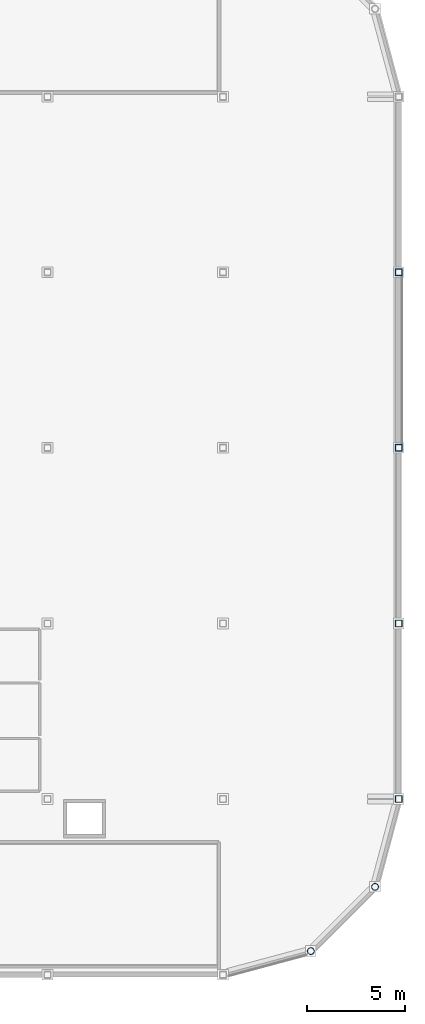
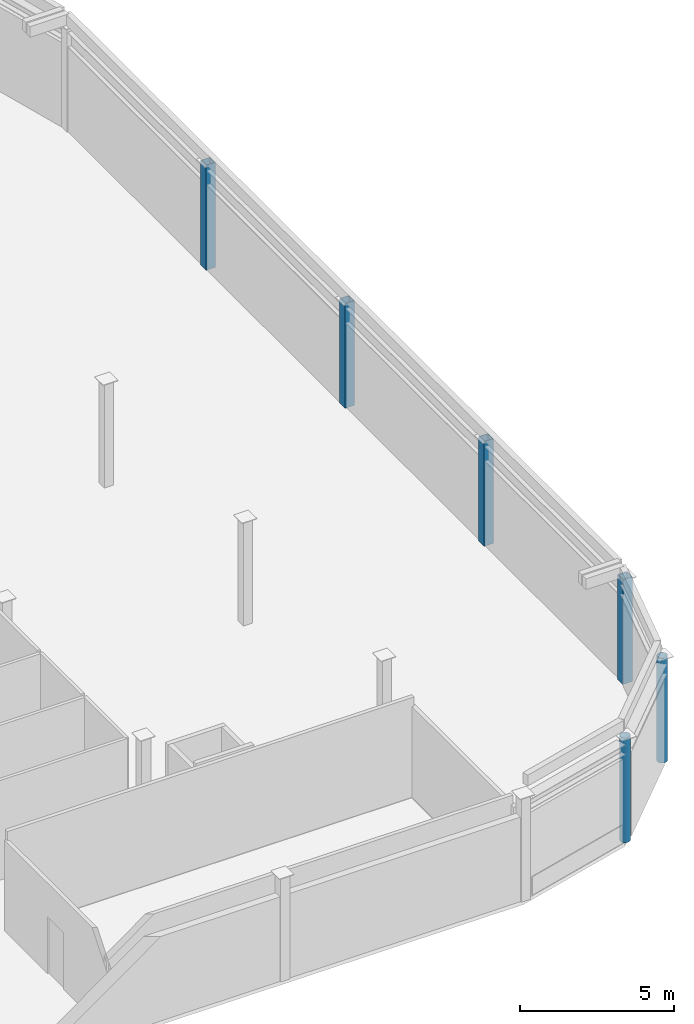
# One storey, part 4 of 14: 6 columns.
"""IFC4 building model written with IfcOpenShell, lengths in metres."""

from ifc_helpers import new_model, si_unit, direction, frame, origin, origin_2d, place, context, subcontext, project, spatial, hollow_rectangle, hollow_circle, extrude, material, material_profile, profile_set, type_object, element, save


model = new_model("IFC4")

# Units and contexts
model_context = context("Model", 3, precision=1e-05, world=origin(), true_north=direction((0.0, 1.0)))
body_context = subcontext(model_context, "Body", "Model", "MODEL_VIEW")
ifc_project = project(units=[si_unit("LENGTHUNIT", "METRE"), si_unit("AREAUNIT", "SQUARE_METRE"), si_unit("VOLUMEUNIT", "CUBIC_METRE"), si_unit("PLANEANGLEUNIT", "RADIAN"), si_unit("MASSUNIT", "GRAM", prefix="KILO")], contexts=[model_context])

# Site, building, storey
site_placement = place(None, origin())
site = spatial("IfcSite", under=ifc_project, at=site_placement, CompositionType="ELEMENT")
building_placement = place(site_placement, origin())
building = spatial("IfcBuilding", under=site, at=building_placement, Name="Suzunagisa Mobility Hub", CompositionType="ELEMENT")
storey_placement = place(building_placement, frame((0.0, 0.0, 26.10009765625)))
storey = spatial("IfcBuildingStorey", under=building, at=storey_placement, Name="L06", CompositionType="ELEMENT", Elevation=26.10009765625)

# Columns
ifc_material = material(Name="Steel SN490B", Category="steel")
ifc_material_profile_1 = material_profile(ifc_material, hollow_rectangle(XDim=0.35009765625, YDim=0.35009765625, WallThickness=0.01611328125, at=origin_2d()), Name="BCR-350x350x16")
ifc_profile_set_1 = profile_set([ifc_material_profile_1], Name="Steel SN490B")
column_type_1 = type_object("IfcColumnType", Name="Steel Column CL-04 BCR-350x350x16", PredefinedType="COLUMN", material=ifc_profile_set_1)
for number, where, z_axis, x_axis, name in (
    (1, (180.0, 53.0, 0.0), (0.0, 0.0, 1.0), (1.0, 0.0, 0.0), "L06 Column 326"),
    (2, (180.0, 62.0, 0.0), (0.0, 0.0, 1.0), (1.0, 0.0, 0.0), "L06 Column 327"),
    (3, (180.0, 71.0, 0.0), (0.0, 0.0, 1.0), (1.0, 0.0, 0.0), "L06 Column 328"),
    (4, (180.0, 80.0, 0.0), (0.0, 0.0, 1.0), (1.0, 0.0, 0.0), "L06 Column 329"),
):
    element("IfcColumn", number, at=place(storey_placement, frame(where, z_axis=z_axis, x_axis=x_axis)), inside=storey, type_object=column_type_1, Name=name, PredefinedType="COLUMN", context=body_context, shape_type="SweptSolid", body=[
        extrude(hollow_rectangle(XDim=0.35009765625, YDim=0.35009765625, WallThickness=0.01611328125, at=origin_2d()), origin(), (0.0, 0.0, 1.0), 4.139892578125),
    ])
ifc_material_profile_2 = material_profile(ifc_material, hollow_circle(Radius=0.177734375, WallThickness=0.0126953125, at=origin_2d()), Name="CHS-355.6x12.7")
ifc_profile_set_2 = profile_set([ifc_material_profile_2], Name="Steel SN490B")
column_type_2 = type_object("IfcColumnType", Name="Steel Column CL-18 CHS-355.6x12.7", PredefinedType="COLUMN", material=ifc_profile_set_2)
for number, where, z_axis, x_axis, name in (
    (5, (175.5, 45.205810546875, 0.0), (0.0, 0.0, 1.0), (1.0, 0.0, 0.0), "L06 Column 312"),
    (6, (178.794189453125, 48.5, 0.0), (0.0, 0.0, 1.0), (1.0, 0.0, 0.0), "L06 Column 318"),
):
    element("IfcColumn", number, at=place(storey_placement, frame(where, z_axis=z_axis, x_axis=x_axis)), inside=storey, type_object=column_type_2, Name=name, PredefinedType="COLUMN", context=body_context, shape_type="SweptSolid", body=[
        extrude(hollow_circle(Radius=0.177734375, WallThickness=0.0126953125, at=origin_2d()), origin(), (0.0, 0.0, 1.0), 4.139892578125),
    ])

save(model, "model.ifc")
